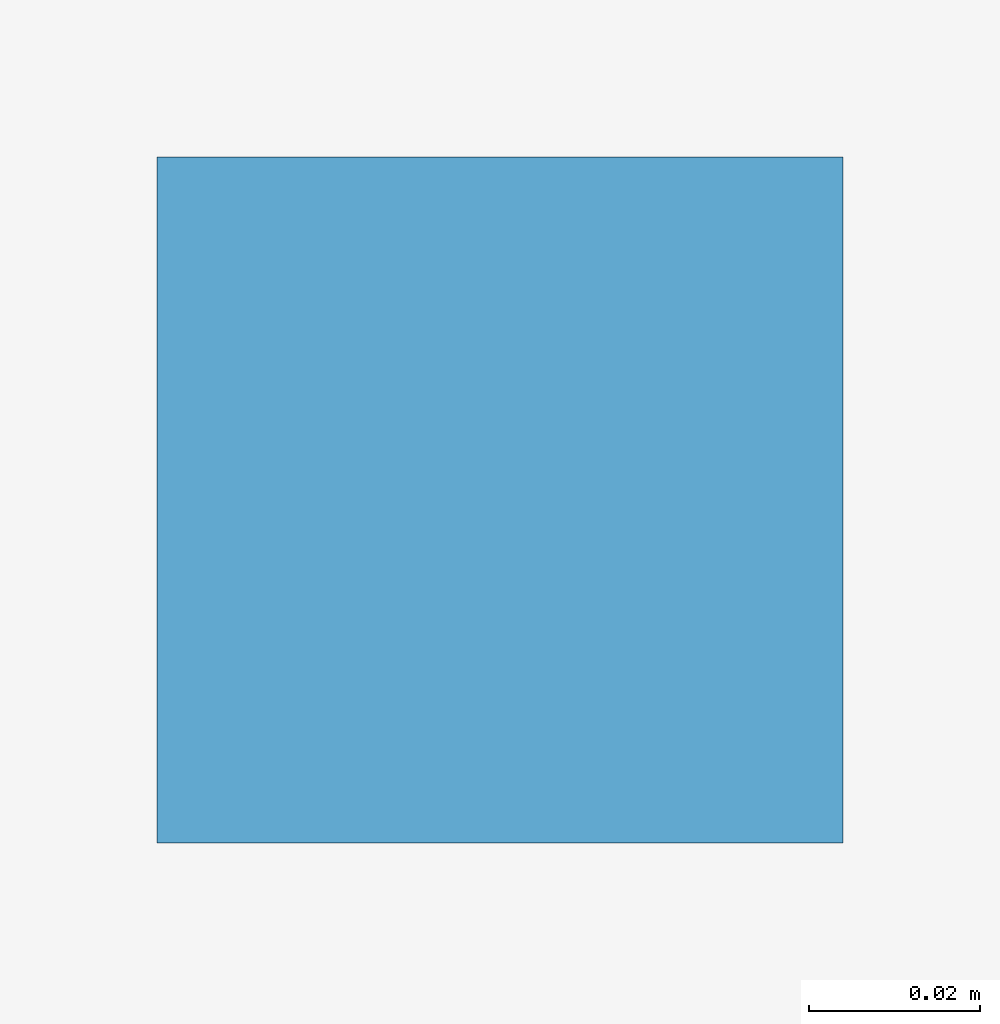
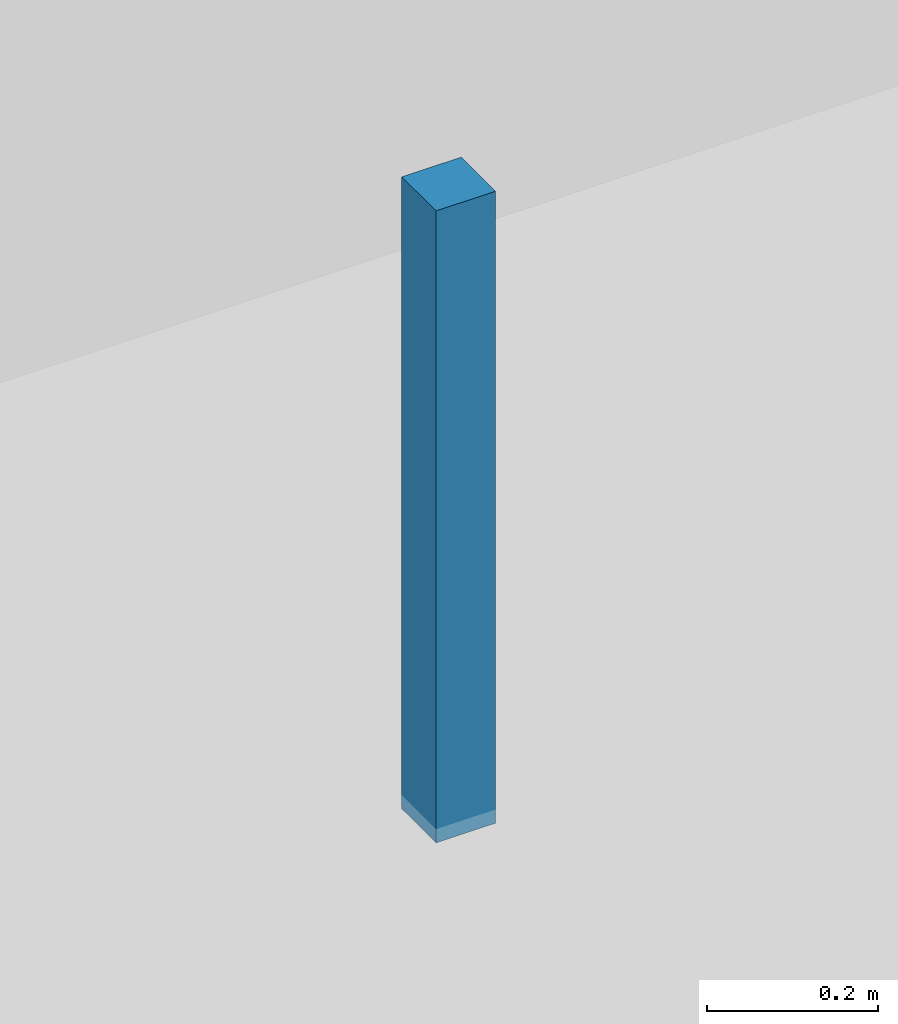
# One storey, part 45 of 53: 1 discrete accessory.
"""IFC4 building model written with IfcOpenShell, lengths in metres."""

from ifc_helpers import new_model, si_unit, derived_unit, direction, frame, origin, origin_2d, place, context, subcontext, project, spatial, rectangle, extrude, material, type_object, element, save


model = new_model("IFC4")

# Units and contexts
model_context = context("Model", 3, precision=1e-05, world=origin(), true_north=direction((0.0, 1.0)))
body_context = subcontext(model_context, "Body", "Model", "MODEL_VIEW")
ifc_project = project(units=[si_unit("LENGTHUNIT", "METRE"), si_unit("AREAUNIT", "SQUARE_METRE"), si_unit("VOLUMEUNIT", "CUBIC_METRE"), si_unit("PLANEANGLEUNIT", "RADIAN"), si_unit("MASSUNIT", "GRAM", prefix="KILO"), derived_unit("THERMALTRANSMITTANCEUNIT", [(si_unit("POWERUNIT", "WATT"), 1), (si_unit("LENGTHUNIT", "METRE"), -2), (si_unit("THERMODYNAMICTEMPERATUREUNIT", "KELVIN"), -1)])], contexts=[model_context])

# Site, building, storey
site_placement = place(None, origin())
site = spatial("IfcSite", under=ifc_project, at=site_placement, CompositionType="ELEMENT")
building_placement = place(site_placement, origin())
building = spatial("IfcBuilding", under=site, at=building_placement, Name="Almenara Railside Exhibition Hall", CompositionType="ELEMENT")
storey_placement = place(building_placement, origin())
storey = spatial("IfcBuildingStorey", under=building, at=storey_placement, Name="L00", CompositionType="ELEMENT", Elevation=0.0)

# Discrete accessory
ifc_material = material(Name="Galvanised steel suspension bracket", Category="steel")
discrete_accessory_type = type_object("IfcDiscreteAccessoryType", Name="Ceiling Suspension Bracket Hanger", PredefinedType="BRACKET", material=ifc_material)
discrete_accessory_placement = place(storey_placement, frame((69.0, 105.0, 4.280029296875), z_axis=(0.0, 0.0, 1.0), x_axis=(1.0, 0.0, 0.0)))
element("IfcDiscreteAccessory", 1, at=discrete_accessory_placement, inside=storey, type_object=discrete_accessory_type, Name="Ceiling suspension hanger 0006", PredefinedType="BRACKET", context=body_context, shape_type="SweptSolid", body=[
    extrude(rectangle(XDim=0.080078125, YDim=0.080078125, at=origin_2d()), origin(), (0.0, 0.0, 1.0), 0.89990234375),
])

save(model, "model.ifc")
